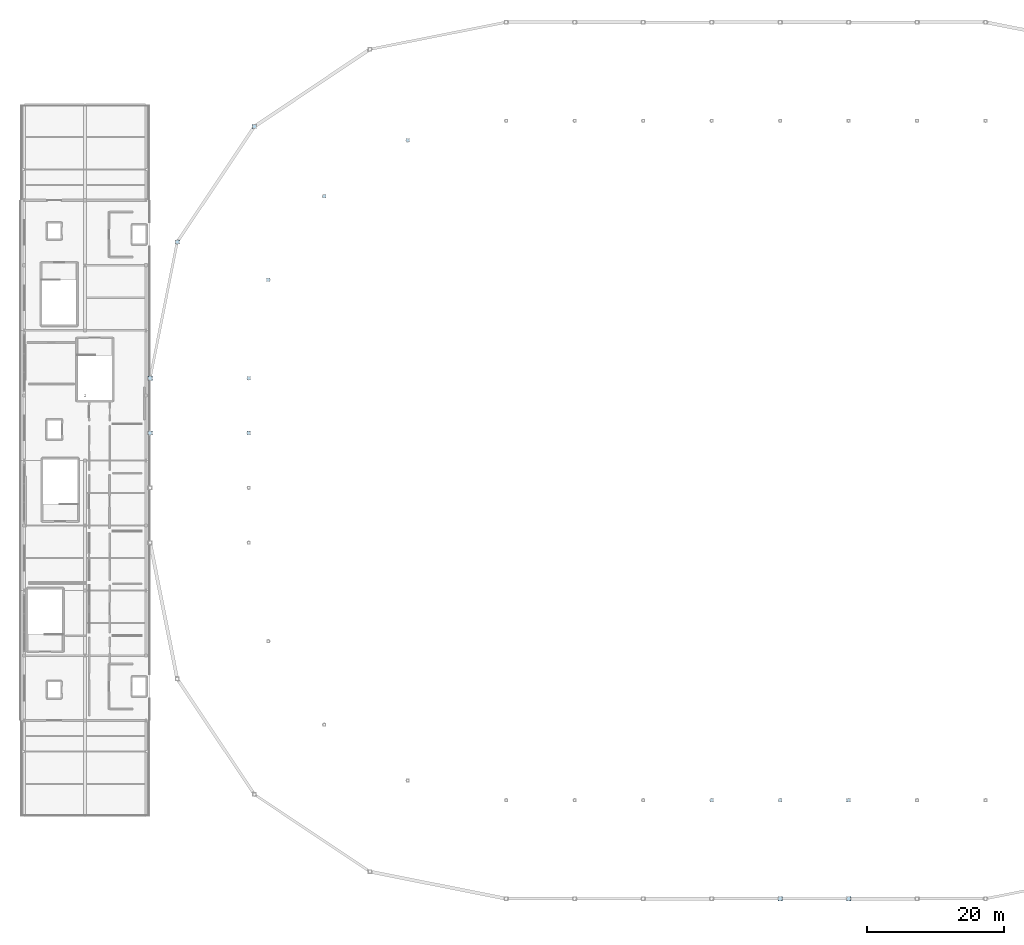
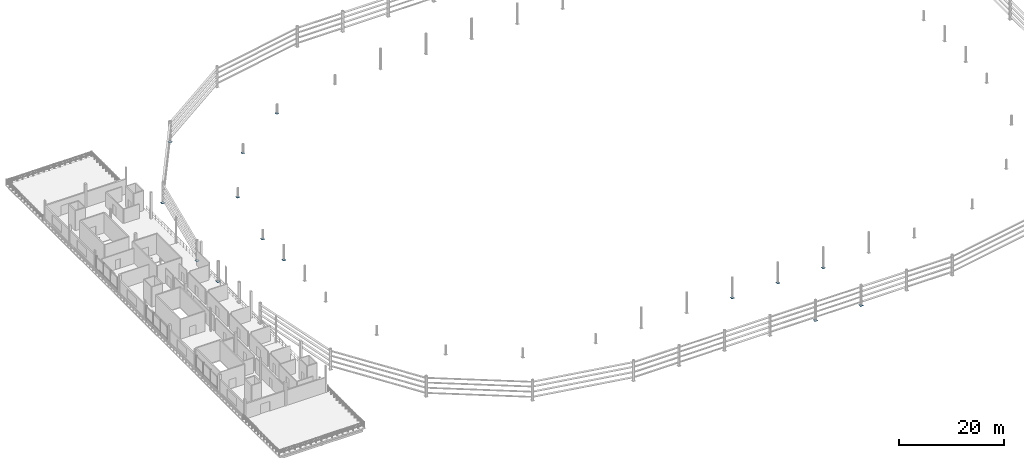
# One storey, part 20 of 29: 14 plates.
"""IFC4 building model written with IfcOpenShell, lengths in metres."""

from ifc_helpers import new_model, si_unit, direction, frame, origin, origin_2d, place, context, subcontext, project, spatial, rectangle, extrude, material, layer, layer_set, type_object, element, save


model = new_model("IFC4")

# Units and contexts
model_context = context("Model", 3, precision=1e-05, world=origin(), true_north=direction((0.0, 1.0)))
body_context = subcontext(model_context, "Body", "Model", "MODEL_VIEW")
ifc_project = project(units=[si_unit("LENGTHUNIT", "METRE"), si_unit("AREAUNIT", "SQUARE_METRE"), si_unit("VOLUMEUNIT", "CUBIC_METRE"), si_unit("PLANEANGLEUNIT", "RADIAN"), si_unit("MASSUNIT", "GRAM", prefix="KILO")], contexts=[model_context])

# Site, building, storey
site_placement = place(None, origin())
site = spatial("IfcSite", under=ifc_project, at=site_placement, CompositionType="ELEMENT")
building_placement = place(site_placement, origin())
building = spatial("IfcBuilding", under=site, at=building_placement, Name="Candeia Ridge Stadium", CompositionType="ELEMENT")
storey_placement = place(building_placement, frame((0.0, 0.0, 27.0)))
storey = spatial("IfcBuildingStorey", under=building, at=storey_placement, Name="L05", CompositionType="ELEMENT", Elevation=27.0)

# Plates
ifc_material = material(Name="Steel ASTM A572 Grade 50", Category="steel")
ifc_layer = layer(ifc_material, 0.02490234375, Name="Steel ASTM A572 Grade 50", Category="steel")
ifc_layer_set = layer_set([ifc_layer], Name="Steel ASTM A572 Grade 50")
plate_type = type_object("IfcPlateType", Name="Hollow Section End Closure Plate CP1", PredefinedType="SHEET", material=ifc_layer_set)
for number, where, z_axis, x_axis, name in (
    (1, (56.611083984375, 129.73779296875, -0.012451171875), (0.0, 0.0, 1.0), (1.0, 0.0, 0.0), "Hollow section end closure plate MCAP-B-BC-MD-08"),
    (2, (44.412841796875, 121.587158203125, -0.012451171875), (0.0, 0.0, 1.0), (1.0, 0.0, 0.0), "Hollow section end closure plate MCAP-B-BC-MD-09"),
):
    element("IfcPlate", number, at=place(storey_placement, frame(where, z_axis=z_axis, x_axis=x_axis)), inside=storey, type_object=plate_type, Name=name, PredefinedType="SHEET", context=body_context, shape_type="SweptSolid", body=[
        extrude(rectangle(XDim=0.5400390625, YDim=0.5400390625, at=origin_2d()), origin(), (0.0, 0.0, 1.0), 0.02490234375),
    ])
plate_1_placement = place(storey_placement, frame((34.23046875, 131.76953125, -0.012451171875), z_axis=(0.0, 0.0, 1.0), x_axis=(1.0, 0.0, 0.0)))
element("IfcPlate", 3, at=plate_1_placement, inside=storey, type_object=plate_type, Name="Hollow section end closure plate MCAP-B-BC-OU-09", PredefinedType="SHEET", context=body_context, shape_type="SweptSolid", body=[
    extrude(rectangle(XDim=0.639892578125, YDim=0.639892578125, at=origin_2d()), origin(), (0.0, 0.0, 1.0), 0.02490234375),
])
plate_2_placement = place(storey_placement, frame((36.26220703125, 109.388916015625, -0.012451171875), z_axis=(0.0, 0.0, 1.0), x_axis=(1.0, 0.0, 0.0)))
element("IfcPlate", 4, at=plate_2_placement, inside=storey, type_object=plate_type, Name="Hollow section end closure plate MCAP-B-BC-MD-10", PredefinedType="SHEET", context=body_context, shape_type="SweptSolid", body=[
    extrude(rectangle(XDim=0.5400390625, YDim=0.5400390625, at=origin_2d()), origin(), (0.0, 0.0, 1.0), 0.02490234375),
])
plate_3_placement = place(storey_placement, frame((22.958251953125, 114.899658203125, -0.012451171875), z_axis=(0.0, 0.0, 1.0), x_axis=(1.0, 0.0, 0.0)))
element("IfcPlate", 5, at=plate_3_placement, inside=storey, type_object=plate_type, Name="Hollow section end closure plate MCAP-B-BC-OU-10", PredefinedType="SHEET", context=body_context, shape_type="SweptSolid", body=[
    extrude(rectangle(XDim=0.639892578125, YDim=0.639892578125, at=origin_2d()), origin(), (0.0, 0.0, 1.0), 0.02490234375),
])
plate_4_placement = place(storey_placement, frame((33.39990234375, 95.0, -0.012451171875), z_axis=(0.0, 0.0, 1.0), x_axis=(1.0, 0.0, 0.0)))
element("IfcPlate", 6, at=plate_4_placement, inside=storey, type_object=plate_type, Name="Hollow section end closure plate MCAP-B-BC-MD-11", PredefinedType="SHEET", context=body_context, shape_type="SweptSolid", body=[
    extrude(rectangle(XDim=0.5400390625, YDim=0.5400390625, at=origin_2d()), origin(), (0.0, 0.0, 1.0), 0.02490234375),
])
plate_5_placement = place(storey_placement, frame((19.0, 95.0, -0.012451171875), z_axis=(0.0, 0.0, 1.0), x_axis=(1.0, 0.0, 0.0)))
element("IfcPlate", 7, at=plate_5_placement, inside=storey, type_object=plate_type, Name="Hollow section end closure plate MCAP-B-BC-OU-11", PredefinedType="SHEET", context=body_context, shape_type="SweptSolid", body=[
    extrude(rectangle(XDim=0.639892578125, YDim=0.639892578125, at=origin_2d()), origin(), (0.0, 0.0, 1.0), 0.02490234375),
])
plate_6_placement = place(storey_placement, frame((33.39990234375, 87.0, -0.012451171875), z_axis=(0.0, 0.0, 1.0), x_axis=(1.0, 0.0, 0.0)))
element("IfcPlate", 8, at=plate_6_placement, inside=storey, type_object=plate_type, Name="Hollow section end closure plate MCAP-B-BC-MD-12", PredefinedType="SHEET", context=body_context, shape_type="SweptSolid", body=[
    extrude(rectangle(XDim=0.5400390625, YDim=0.5400390625, at=origin_2d()), origin(), (0.0, 0.0, 1.0), 0.02490234375),
])
plate_7_placement = place(storey_placement, frame((19.0, 87.0, -0.012451171875), z_axis=(0.0, 0.0, 1.0), x_axis=(1.0, 0.0, 0.0)))
element("IfcPlate", 9, at=plate_7_placement, inside=storey, type_object=plate_type, Name="Hollow section end closure plate MCAP-B-BC-OU-12", PredefinedType="SHEET", context=body_context, shape_type="SweptSolid", body=[
    extrude(rectangle(XDim=0.639892578125, YDim=0.639892578125, at=origin_2d()), origin(), (0.0, 0.0, 1.0), 0.02490234375),
])
for number, where, z_axis, x_axis, name in (
    (10, (101.0, 33.39990234375, -0.012451171875), (0.0, 0.0, 1.0), (1.0, 0.0, 0.0), "Hollow section end closure plate MCAP-B-BC-MD-21"),
    (11, (111.0, 33.39990234375, -0.012451171875), (0.0, 0.0, 1.0), (1.0, 0.0, 0.0), "Hollow section end closure plate MCAP-B-BC-MD-22"),
):
    element("IfcPlate", number, at=place(storey_placement, frame(where, z_axis=z_axis, x_axis=x_axis)), inside=storey, type_object=plate_type, Name=name, PredefinedType="SHEET", context=body_context, shape_type="SweptSolid", body=[
        extrude(rectangle(XDim=0.5400390625, YDim=0.5400390625, at=origin_2d()), origin(), (0.0, 0.0, 1.0), 0.02490234375),
    ])
plate_8_placement = place(storey_placement, frame((111.0, 19.0, -0.012451171875), z_axis=(0.0, 0.0, 1.0), x_axis=(1.0, 0.0, 0.0)))
element("IfcPlate", 12, at=plate_8_placement, inside=storey, type_object=plate_type, Name="Hollow section end closure plate MCAP-B-BC-OU-22", PredefinedType="SHEET", context=body_context, shape_type="SweptSolid", body=[
    extrude(rectangle(XDim=0.639892578125, YDim=0.639892578125, at=origin_2d()), origin(), (0.0, 0.0, 1.0), 0.02490234375),
])
plate_9_placement = place(storey_placement, frame((121.0, 33.39990234375, -0.012451171875), z_axis=(0.0, 0.0, 1.0), x_axis=(1.0, 0.0, 0.0)))
element("IfcPlate", 13, at=plate_9_placement, inside=storey, type_object=plate_type, Name="Hollow section end closure plate MCAP-B-BC-MD-23", PredefinedType="SHEET", context=body_context, shape_type="SweptSolid", body=[
    extrude(rectangle(XDim=0.5400390625, YDim=0.5400390625, at=origin_2d()), origin(), (0.0, 0.0, 1.0), 0.02490234375),
])
plate_10_placement = place(storey_placement, frame((121.0, 19.0, -0.012451171875), z_axis=(0.0, 0.0, 1.0), x_axis=(1.0, 0.0, 0.0)))
element("IfcPlate", 14, at=plate_10_placement, inside=storey, type_object=plate_type, Name="Hollow section end closure plate MCAP-B-BC-OU-23", PredefinedType="SHEET", context=body_context, shape_type="SweptSolid", body=[
    extrude(rectangle(XDim=0.639892578125, YDim=0.639892578125, at=origin_2d()), origin(), (0.0, 0.0, 1.0), 0.02490234375),
])

save(model, "model.ifc")
